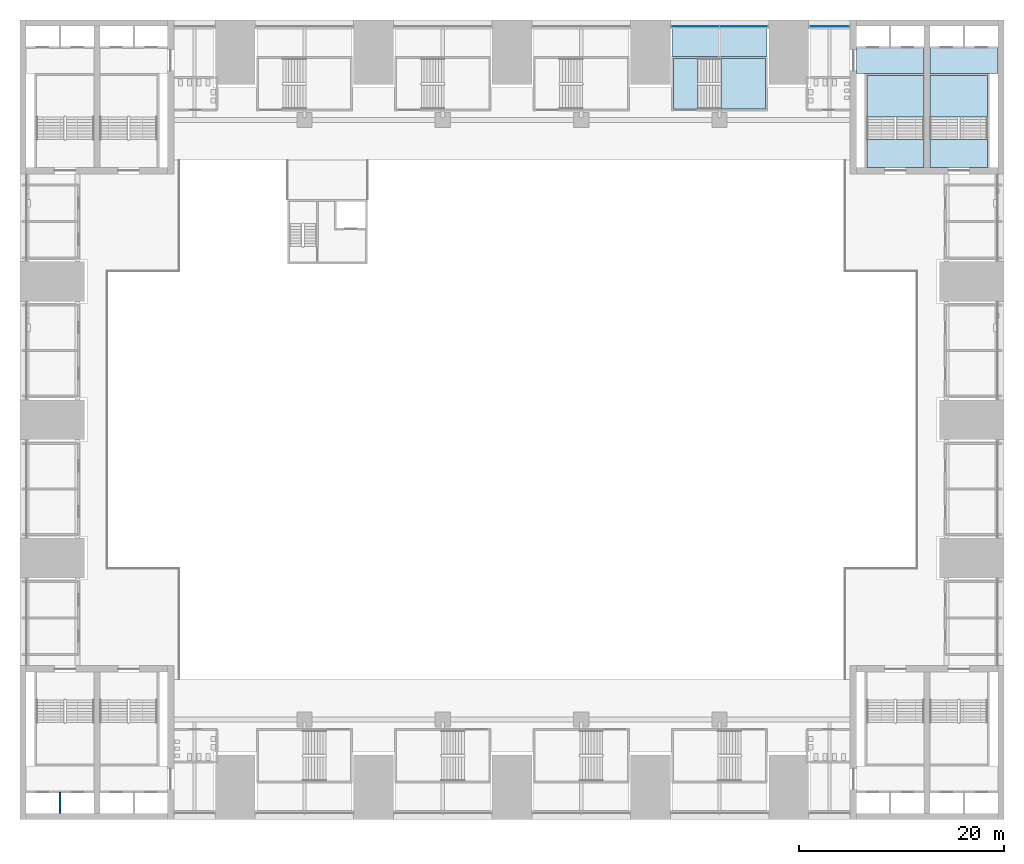
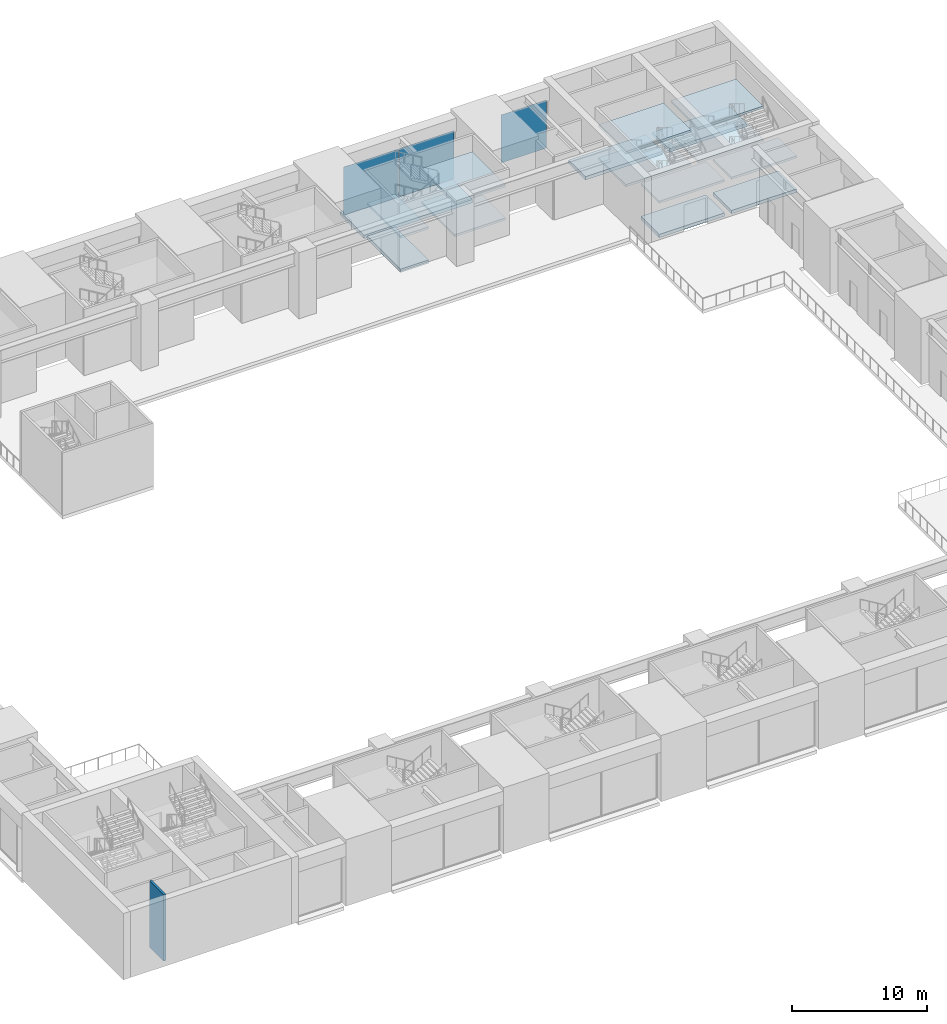
# One storey, part 12 of 41: 15 slabs, 3 plates, 1 wall, 5 elements without a shape of their own.
"""IFC4 building model written with IfcOpenShell, lengths in metres."""

from ifc_helpers import new_model, si_unit, direction, frame, frame_2d, origin, origin_2d, place, context, subcontext, project, spatial, polyline, rectangle, outline, extrude, material, layer, layer_set, type_object, element, aggregate, save


model = new_model("IFC4")

# Units and contexts
model_context = context("Model", 3, precision=1e-05, world=origin(), true_north=direction((0.0, 1.0)))
body_context = subcontext(model_context, "Body", "Model", "MODEL_VIEW")
ifc_project = project(units=[si_unit("LENGTHUNIT", "METRE"), si_unit("AREAUNIT", "SQUARE_METRE"), si_unit("VOLUMEUNIT", "CUBIC_METRE"), si_unit("PLANEANGLEUNIT", "RADIAN"), si_unit("MASSUNIT", "GRAM", prefix="KILO")], contexts=[model_context])

# Site, building, storey
site_placement = place(None, origin())
site = spatial("IfcSite", under=ifc_project, at=site_placement, CompositionType="ELEMENT")
building_placement = place(site_placement, origin())
building = spatial("IfcBuilding", under=site, at=building_placement, Name="Corbelhall Arena Tower", CompositionType="ELEMENT")
storey_placement = place(building_placement, frame((0.0, 0.0, 19.0)))
storey = spatial("IfcBuildingStorey", under=building, at=storey_placement, Name="L02", CompositionType="ELEMENT", Elevation=19.0)

# Stair, slabs
ifc_material_1 = material(Name="Reinforced concrete C40/50", Category="concrete")
stair_type = type_object("IfcStairType", Name="AR-EXIT-STAIR", PredefinedType="HALF_TURN_STAIR", material=ifc_material_1)
stair_1_placement = place(storey_placement, origin())
stair_1 = element("IfcStair", 1, at=stair_1_placement, inside=storey, type_object=stair_type, Name="L02 exit stair AS12", PredefinedType="HALF_TURN_STAIR")
ifc_layer_1 = layer(ifc_material_1, 0.199951171875)
ifc_layer_set_1 = layer_set([ifc_layer_1], Name="AR-EXIT-LANDING")
slab_type_1 = type_object("IfcSlabType", Name="AR-EXIT-LANDING", PredefinedType="LANDING", material=ifc_layer_set_1)
slab_1_placement = place(storey_placement, frame((0.0, 0.0, 1.300048828125)))
slab_1 = element("IfcSlab", 2, at=slab_1_placement, type_object=slab_type_1, Name="AS12 landing 1", PredefinedType="LANDING", context=body_context, shape_type="SweptSolid", body=[
    extrude(outline(polyline([(20.389892578125, 30.300048828125), (24.75, 30.300048828125), (24.75, 35.25), (20.389892578125, 35.25), (20.389892578125, 30.300048828125)])), origin(), (0.0, 0.0, 1.0), 0.199951171875),
])
slab_2_placement = place(storey_placement, frame((0.0, 0.0, 2.800048828125)))
slab_2 = element("IfcSlab", 3, at=slab_2_placement, type_object=slab_type_1, Name="AS12 landing 2", PredefinedType="LANDING", context=body_context, shape_type="SweptSolid", body=[
    extrude(outline(polyline([(15.75, 30.300048828125), (18.14990234375, 30.300048828125), (18.14990234375, 35.25), (15.75, 35.25), (15.75, 30.300048828125)])), origin(), (0.0, 0.0, 1.0), 0.199951171875),
])
slab_3_placement = place(storey_placement, frame((0.0, 0.0, 4.300048828125)))
slab_3 = element("IfcSlab", 4, at=slab_3_placement, type_object=slab_type_1, Name="AS12 landing 3", PredefinedType="LANDING", context=body_context, shape_type="SweptSolid", body=[
    extrude(outline(polyline([(20.389892578125, 30.300048828125), (24.75, 30.300048828125), (24.75, 35.25), (20.389892578125, 35.25), (20.389892578125, 30.300048828125)])), origin(), (0.0, 0.0, 1.0), 0.199951171875),
])
aggregate(stair_1, [slab_1, slab_2, slab_3])

stair_2_placement = place(storey_placement, origin())
stair_2 = element("IfcStair", 5, at=stair_2_placement, inside=storey, type_object=stair_type, Name="L02 exit stair AS1", PredefinedType="HALF_TURN_STAIR")
slab_4_placement = place(storey_placement, frame((0.0, 0.0, 1.300048828125)))
slab_4 = element("IfcSlab", 6, at=slab_4_placement, type_object=slab_type_1, Name="AS1 landing 1", PredefinedType="LANDING", context=body_context, shape_type="SweptSolid", body=[
    extrude(outline(polyline([(40.199951171875, 29.56005859375), (40.199951171875, 33.60009765625), (34.610107421875, 33.60009765625), (34.610107421875, 29.56005859375), (40.199951171875, 29.56005859375)])), origin(), (0.0, 0.0, 1.0), 0.199951171875),
])
slab_5_placement = place(storey_placement, frame((0.0, 0.0, 2.800048828125)))
slab_5 = element("IfcSlab", 7, at=slab_5_placement, type_object=slab_type_1, Name="AS1 landing 2", PredefinedType="LANDING", context=body_context, shape_type="SweptSolid", body=[
    extrude(outline(polyline([(40.199951171875, 24.60009765625), (40.199951171875, 27.320068359375), (34.610107421875, 27.320068359375), (34.610107421875, 24.60009765625), (40.199951171875, 24.60009765625)])), origin(), (0.0, 0.0, 1.0), 0.199951171875),
])
slab_6_placement = place(storey_placement, frame((0.0, 0.0, 4.300048828125)))
slab_6 = element("IfcSlab", 8, at=slab_6_placement, type_object=slab_type_1, Name="AS1 landing 3", PredefinedType="LANDING", context=body_context, shape_type="SweptSolid", body=[
    extrude(outline(polyline([(40.199951171875, 29.56005859375), (40.199951171875, 33.60009765625), (34.610107421875, 33.60009765625), (34.610107421875, 29.56005859375), (40.199951171875, 29.56005859375)])), origin(), (0.0, 0.0, 1.0), 0.199951171875),
])
aggregate(stair_2, [slab_4, slab_5, slab_6])

stair_3_placement = place(storey_placement, origin())
stair_3 = element("IfcStair", 9, at=stair_3_placement, inside=storey, type_object=stair_type, Name="L02 exit stair AS2", PredefinedType="HALF_TURN_STAIR")
slab_7_placement = place(storey_placement, frame((0.0, 0.0, 1.300048828125)))
slab_7 = element("IfcSlab", 10, at=slab_7_placement, type_object=slab_type_1, Name="AS2 landing 1", PredefinedType="LANDING", context=body_context, shape_type="SweptSolid", body=[
    extrude(outline(polyline([(46.389892578125, 29.56005859375), (46.389892578125, 33.60009765625), (40.800048828125, 33.60009765625), (40.800048828125, 29.56005859375), (46.389892578125, 29.56005859375)])), origin(), (0.0, 0.0, 1.0), 0.199951171875),
])
slab_8_placement = place(storey_placement, frame((0.0, 0.0, 2.800048828125)))
slab_8 = element("IfcSlab", 11, at=slab_8_placement, type_object=slab_type_1, Name="AS2 landing 2", PredefinedType="LANDING", context=body_context, shape_type="SweptSolid", body=[
    extrude(outline(polyline([(46.389892578125, 24.60009765625), (46.389892578125, 27.320068359375), (40.800048828125, 27.320068359375), (40.800048828125, 24.60009765625), (46.389892578125, 24.60009765625)])), origin(), (0.0, 0.0, 1.0), 0.199951171875),
])
slab_9_placement = place(storey_placement, frame((0.0, 0.0, 4.300048828125)))
slab_9 = element("IfcSlab", 12, at=slab_9_placement, type_object=slab_type_1, Name="AS2 landing 3", PredefinedType="LANDING", context=body_context, shape_type="SweptSolid", body=[
    extrude(outline(polyline([(46.389892578125, 29.56005859375), (46.389892578125, 33.60009765625), (40.800048828125, 33.60009765625), (40.800048828125, 29.56005859375), (46.389892578125, 29.56005859375)])), origin(), (0.0, 0.0, 1.0), 0.199951171875),
])
aggregate(stair_3, [slab_7, slab_8, slab_9])

# Slabs
ifc_layer_2 = layer(ifc_material_1, 0.300048828125)
ifc_layer_set_2 = layer_set([ifc_layer_2], Name="AR-STAIR-FLOOR")
slab_type_2 = type_object("IfcSlabType", Name="AR-STAIR-FLOOR", PredefinedType="FLOOR", material=ifc_layer_set_2)
slab_10_placement = place(storey_placement, frame((0.0, 0.0, -0.300048828125)))
element("IfcSlab", 13, at=slab_10_placement, inside=storey, type_object=slab_type_2, Name="Stair AS12 floor", PredefinedType="FLOOR", context=body_context, shape_type="SweptSolid", body=[
    extrude(outline(polyline([(15.75, 30.300048828125), (15.75, 35.25), (18.153076171875, 35.25), (18.153076171875, 30.300048828125), (15.75, 30.300048828125)])), origin(), (0.0, 0.0, 1.0), 0.300048828125),
])
slab_11_placement = place(storey_placement, frame((0.0, 0.0, -0.300048828125)))
element("IfcSlab", 14, at=slab_11_placement, inside=storey, type_object=slab_type_2, Name="Stair AS1 floor", PredefinedType="FLOOR", context=body_context, shape_type="SweptSolid", body=[
    extrude(outline(polyline([(40.199951171875, 24.60009765625), (34.610107421875, 24.60009765625), (34.610107421875, 27.322998046875), (40.199951171875, 27.322998046875), (40.199951171875, 24.60009765625)])), origin(), (0.0, 0.0, 1.0), 0.300048828125),
])
slab_12_placement = place(storey_placement, frame((0.0, 0.0, -0.300048828125)))
element("IfcSlab", 15, at=slab_12_placement, inside=storey, type_object=slab_type_2, Name="Stair AS2 floor", PredefinedType="FLOOR", context=body_context, shape_type="SweptSolid", body=[
    extrude(outline(polyline([(46.389892578125, 24.60009765625), (40.800048828125, 24.60009765625), (40.800048828125, 27.322998046875), (46.389892578125, 27.322998046875), (46.389892578125, 24.60009765625)])), origin(), (0.0, 0.0, 1.0), 0.300048828125),
])
slab_13_placement = place(storey_placement, frame((0.0, 0.0, -0.300048828125)))
element("IfcSlab", 16, at=slab_13_placement, inside=storey, type_object=slab_type_2, Name="Lift lobby floor NE", PredefinedType="FLOOR", context=body_context, shape_type="SweptSolid", body=[
    extrude(outline(polyline([(40.199951171875, 33.800048828125), (40.199951171875, 36.300048828125), (33.60009765625, 36.300048828125), (33.60009765625, 33.800048828125), (40.199951171875, 33.800048828125)])), origin(), (0.0, 0.0, 1.0), 0.300048828125),
])
slab_14_placement = place(storey_placement, frame((0.0, 0.0, -0.300048828125)))
element("IfcSlab", 17, at=slab_14_placement, inside=storey, type_object=slab_type_2, Name="Lift lobby floor NE", PredefinedType="FLOOR", context=body_context, shape_type="SweptSolid", body=[
    extrude(outline(polyline([(47.39990234375, 33.800048828125), (47.39990234375, 36.300048828125), (40.800048828125, 36.300048828125), (40.800048828125, 33.800048828125), (47.39990234375, 33.800048828125)])), origin(), (0.0, 0.0, 1.0), 0.300048828125),
])

# Curtain wall, plate
ifc_material_2 = material(Name="Aluminium black anodised", Category="aluminium")
ifc_layer_3 = layer(ifc_material_2, 0.239990234375)
ifc_layer_set_3 = layer_set([ifc_layer_3], Name="EV-CW4 Arena concourse glazing")
curtain_wall_type = type_object("IfcCurtainWallType", Name="EV-CW4 Arena concourse glazing", PredefinedType="NOTDEFINED", material=ifc_layer_set_3)
curtain_wall_1_placement = place(storey_placement, origin())
curtain_wall_1 = element("IfcCurtainWall", 18, at=curtain_wall_1_placement, inside=storey, type_object=curtain_wall_type, Name="Curtain wall CW4A", PredefinedType="NOTDEFINED")
ifc_material_3 = material(Name="Glass dark tinted laminated", Category="glass")
ifc_layer_4 = layer(ifc_material_3, 0.028076171875)
ifc_layer_set_4 = layer_set([ifc_layer_4], Name="EV-CW4-PANEL")
plate_type = type_object("IfcPlateType", Name="EV-CW4-PANEL", PredefinedType="CURTAIN_PANEL", material=ifc_layer_set_4)
plate_1_placement = place(storey_placement, frame((30.97509765625, 38.3798828125, 0.074951171875), z_axis=(0.0, 0.0, 1.0), x_axis=(-1.0, 0.0, 0.0)))
plate_1 = element("IfcPlate", 19, at=plate_1_placement, type_object=plate_type, Name="CW4A panel 1.1", PredefinedType="CURTAIN_PANEL", context=body_context, shape_type="SweptSolid", body=[
    extrude(rectangle(XDim=3.89990234375, YDim=0.028076171875, at=origin_2d()), origin(), (0.0, 0.0, 1.0), 4.35009765625),
])
aggregate(curtain_wall_1, [plate_1])

# Curtain wall, plates
curtain_wall_2_placement = place(storey_placement, origin())
curtain_wall_2 = element("IfcCurtainWall", 20, at=curtain_wall_2_placement, inside=storey, type_object=curtain_wall_type, Name="Curtain wall CW4", PredefinedType="NOTDEFINED")
plate_2_placement = place(storey_placement, frame((22.63134765625, 38.3798828125, 0.074951171875), z_axis=(0.0, 0.0, 1.0), x_axis=(-1.0, 0.0, 0.0)))
plate_2 = element("IfcPlate", 21, at=plate_2_placement, type_object=plate_type, Name="CW4 panel 1.1", PredefinedType="CURTAIN_PANEL", context=body_context, shape_type="SweptSolid", body=[
    extrude(rectangle(XDim=4.6875, YDim=0.028076171875, at=origin_2d()), origin(), (0.0, 0.0, 1.0), 4.35009765625),
])
plate_3_placement = place(storey_placement, frame((17.86865234375, 38.3798828125, 0.074951171875), z_axis=(0.0, 0.0, 1.0), x_axis=(-1.0, 0.0, 0.0)))
plate_3 = element("IfcPlate", 22, at=plate_3_placement, type_object=plate_type, Name="CW4 panel 2.1", PredefinedType="CURTAIN_PANEL", context=body_context, shape_type="SweptSolid", body=[
    extrude(rectangle(XDim=4.6875, YDim=0.028076171875, at=origin_2d()), origin(), (0.0, 0.0, 1.0), 4.35009765625),
])
aggregate(curtain_wall_2, [plate_2, plate_3])

# Slab
ifc_material_4 = material(Name="Concrete C32/40", Category="concrete")
ifc_layer_5 = layer(ifc_material_4, 0.300048828125)
ifc_layer_set_5 = layer_set([ifc_layer_5], Name="PO-FLOOR-SLAB")
slab_type_3 = type_object("IfcSlabType", Name="PO-FLOOR-SLAB", PredefinedType="FLOOR", material=ifc_layer_set_5)
slab_15_placement = place(storey_placement, frame((0.0, 0.0, -0.300048828125)))
element("IfcSlab", 23, at=slab_15_placement, inside=storey, type_object=slab_type_3, Name="FLOOR SLAB L02 9", PredefinedType="FLOOR", context=body_context, shape_type="SweptSolid", body=[
    extrude(outline(polyline([(24.89990234375, 39.0), (24.89990234375, 35.449951171875), (15.60009765625, 35.449951171875), (15.60009765625, 39.0), (24.89990234375, 39.0)])), origin(), (0.0, 0.0, 1.0), 0.300048828125),
])

# Wall
ifc_layer_6 = layer(ifc_material_1, 0.199951171875)
ifc_layer_set_6 = layer_set([ifc_layer_6], Name="AR-SHAFT-WALL")
wall_type = type_object("IfcWallType", Name="AR-SHAFT-WALL", PredefinedType="SHEAR", material=ifc_layer_set_6)
wall_placement = place(storey_placement, frame((-44.10009765625, -38.39990234375, 0.0), z_axis=(0.0, 0.0, 1.0), x_axis=(0.0, 1.0, 0.0)))
element("IfcWall", 24, at=wall_placement, inside=storey, type_object=wall_type, Name="Shaft wall SW", PredefinedType="SHEAR", context=body_context, shape_type="SweptSolid", body=[
    extrude(rectangle(XDim=2.099853515625, YDim=0.199951171875, at=frame_2d((1.0498046875, 0.0))), origin(), (0.0, 0.0, 1.0), 6.0),
])

save(model, "model.ifc")
